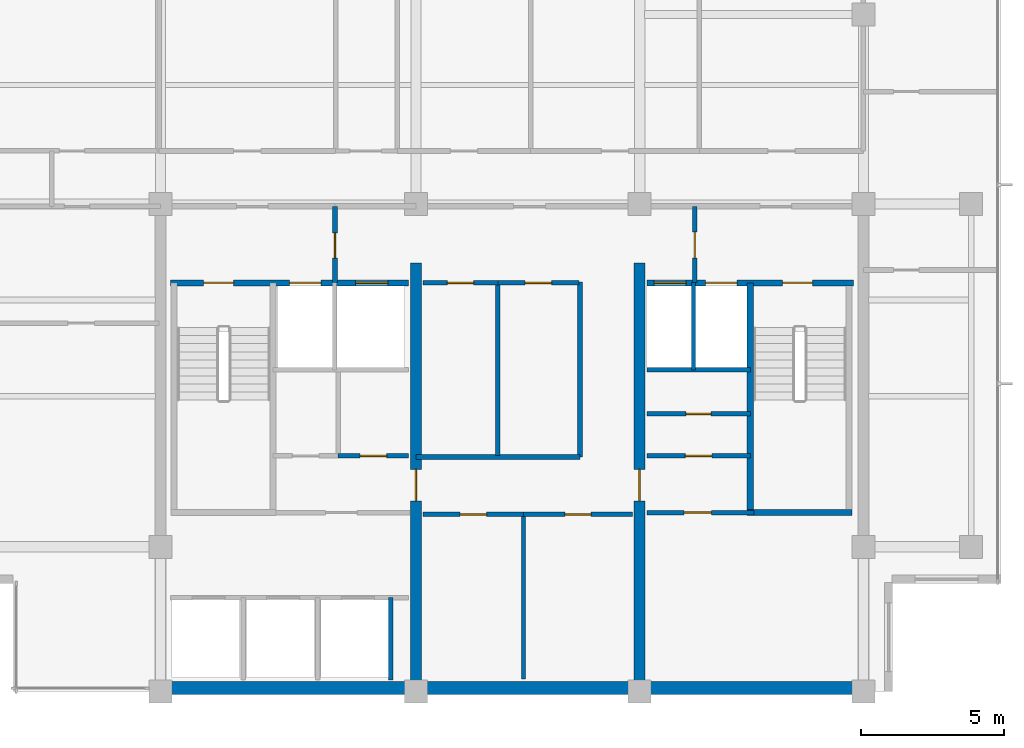
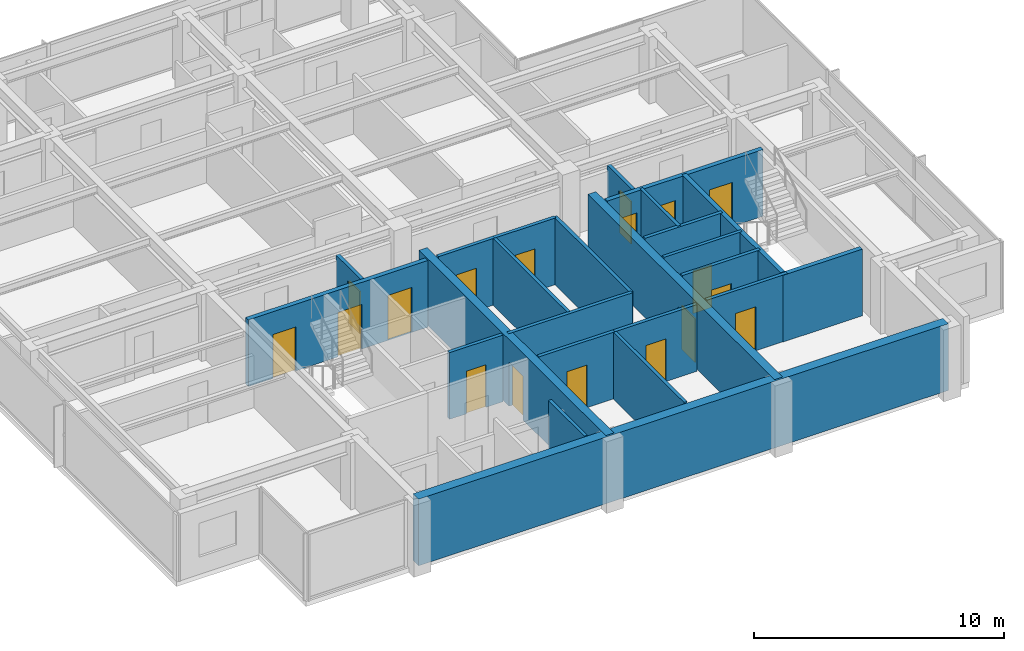
# One storey, part 6 of 11: 24 walls, 18 doors, 18 openings.
"""IFC4 building model written with IfcOpenShell, lengths in metres."""

from ifc_helpers import new_model, si_unit, direction, frame, frame_2d, origin, place, context, subcontext, project, spatial, rectangle, extrude, material, layer, layer_set, type_object, element, fill, save


model = new_model("IFC4")

# Units and contexts
model_context = context("Model", 3, precision=1e-05, world=origin(), true_north=direction((0.0, 1.0)))
body_context = subcontext(model_context, "Body", "Model", "MODEL_VIEW")
ifc_project = project(units=[si_unit("LENGTHUNIT", "METRE"), si_unit("AREAUNIT", "SQUARE_METRE"), si_unit("VOLUMEUNIT", "CUBIC_METRE"), si_unit("PLANEANGLEUNIT", "RADIAN"), si_unit("MASSUNIT", "GRAM", prefix="KILO")], contexts=[model_context])

# Site, building, storey
site_placement = place(None, origin())
site = spatial("IfcSite", under=ifc_project, at=site_placement, CompositionType="ELEMENT")
building_placement = place(site_placement, origin())
building = spatial("IfcBuilding", under=site, at=building_placement, Name="Qalmaran Belvedere Hotel", CompositionType="ELEMENT")
storey_placement = place(building_placement, frame((0.0, 0.0, 270.39990234375)))
storey = spatial("IfcBuildingStorey", under=building, at=storey_placement, Name="L70", CompositionType="ELEMENT", Elevation=270.39990234375)

# Wall, opening, door
ifc_material_1 = material(Name="Concrete C50/60", Category="concrete")
ifc_layer_1 = layer(ifc_material_1, 0.3798828125, Name="Concrete C50/60")
ifc_layer_set_1 = layer_set([ifc_layer_1], Name="Concrete C50/60")
wall_type_1 = type_object("IfcWallType", Name="WL-CORE-380-C50", PredefinedType="SHEAR", material=ifc_layer_set_1)
wall_1_placement = place(storey_placement, frame((29.199951171875, 3.5, 0.0), z_axis=(0.0, 0.0, 1.0), x_axis=(0.0, 1.0, 0.0)))
wall_1 = element("IfcWall", 1, at=wall_1_placement, inside=storey, type_object=wall_type_1, Name="L70 Core West Spine Shear Wall", PredefinedType="SHEAR", context=body_context, shape_type="SweptSolid", body=[
    extrude(rectangle(XDim=14.949951171875, YDim=0.3798828125, at=frame_2d((7.47509765625, 0.0))), origin(), (0.0, 0.0, 1.0), 3.260009765625),
])
opening_1_placement = place(wall_1_placement, frame((7.75, 0.0, 0.0), z_axis=(0.0, 0.0, 1.0), x_axis=(-1.0, 0.0, 0.0)))
opening_1 = element("IfcOpeningElement", 2, at=opening_1_placement, cuts=wall_1, Name="Opening FD90", PredefinedType="OPENING", context=body_context, shape_type="SweptSolid", body=[
    extrude(rectangle(XDim=1.10009765625, YDim=2.14990234375, at=frame_2d((0.550048828125, 1.074951171875))), frame((0.0, 0.199951171875, 0.0), z_axis=(0.0, -1.0, 0.0), x_axis=(1.0, 0.0, 0.0)), (0.0, 0.0, 1.0), 0.39990234375),
])
ifc_material_2 = material(Name="Steel S355JR", Category="steel")
door_type_1 = type_object("IfcDoorType", Name="DR-FD90-1100X2150", OperationType="NOTDEFINED", PredefinedType="DOOR", material=ifc_material_2)
door_1_placement = place(opening_1_placement, origin())
door_1 = element("IfcDoor", 3, at=door_1_placement, inside=storey, type_object=door_type_1, Name="L70 Core West Cross-Lobby Door", OperationType="SINGLE_SWING_RIGHT", OverallHeight=2.14990234375, OverallWidth=1.10009765625, PredefinedType="DOOR", context=body_context, shape_type="SweptSolid", body=[
    extrude(rectangle(XDim=1.10009765625, YDim=2.14990234375, at=frame_2d((0.550048828125, 1.074951171875))), frame((0.0, 0.02490234375, 0.0), z_axis=(0.0, -1.0, 0.0), x_axis=(1.0, 0.0, 0.0)), (0.0, 0.0, 1.0), 0.050048828125),
])
fill(opening_1, door_1)

wall_2_placement = place(storey_placement, frame((37.0, 3.5, 0.0), z_axis=(0.0, 0.0, 1.0), x_axis=(0.0, 1.0, 0.0)))
wall_2 = element("IfcWall", 4, at=wall_2_placement, inside=storey, type_object=wall_type_1, Name="L70 Core East Spine Shear Wall", PredefinedType="SHEAR", context=body_context, shape_type="SweptSolid", body=[
    extrude(rectangle(XDim=14.949951171875, YDim=0.3798828125, at=frame_2d((7.47509765625, 0.0))), origin(), (0.0, 0.0, 1.0), 3.260009765625),
])
opening_2_placement = place(wall_2_placement, frame((6.64990234375, 0.0, 0.0)))
opening_2 = element("IfcOpeningElement", 5, at=opening_2_placement, cuts=wall_2, Name="Opening FD90", PredefinedType="OPENING", context=body_context, shape_type="SweptSolid", body=[
    extrude(rectangle(XDim=1.10009765625, YDim=2.14990234375, at=frame_2d((0.550048828125, 1.074951171875))), frame((0.0, 0.199951171875, 0.0), z_axis=(0.0, -1.0, 0.0), x_axis=(1.0, 0.0, 0.0)), (0.0, 0.0, 1.0), 0.39990234375),
])
door_2_placement = place(opening_2_placement, origin())
door_2 = element("IfcDoor", 6, at=door_2_placement, inside=storey, type_object=door_type_1, Name="L70 Core East Cross-Lobby Door", OperationType="SINGLE_SWING_LEFT", OverallHeight=2.14990234375, OverallWidth=1.10009765625, PredefinedType="DOOR", context=body_context, shape_type="SweptSolid", body=[
    extrude(rectangle(XDim=1.10009765625, YDim=2.14990234375, at=frame_2d((0.550048828125, 1.074951171875))), frame((0.0, 0.02490234375, 0.0), z_axis=(0.0, -1.0, 0.0), x_axis=(1.0, 0.0, 0.0)), (0.0, 0.0, 1.0), 0.050048828125),
])
fill(opening_2, door_2)

# Walls
ifc_layer_2 = layer(ifc_material_1, 0.43994140625, Name="Concrete C50/60")
ifc_layer_set_2 = layer_set([ifc_layer_2], Name="Concrete C50/60")
wall_type_2 = type_object("IfcWallType", Name="WL-CORES-440-EXT", PredefinedType="SHEAR", material=ifc_layer_set_2)
wall_3_placement = place(storey_placement, frame((20.300048828125, 3.6298828125, 0.0), z_axis=(0.0, 0.0, 1.0), x_axis=(1.0, 0.0, 0.0)))
element("IfcWall", 7, at=wall_3_placement, inside=storey, type_object=wall_type_2, Name="L70 South Core Shear Wall", PredefinedType="SHEAR", context=body_context, shape_type="SweptSolid", body=[
    extrude(rectangle(XDim=24.5, YDim=0.43994140625, at=frame_2d((12.25, 0.0))), origin(), (0.0, 0.0, 1.0), 3.260009765625),
])
ifc_material_3 = material(Name="Gypsum Stud Partition")
ifc_layer_3 = layer(ifc_material_3, 0.14990234375, Name="Gypsum Stud Partition")
ifc_layer_set_3 = layer_set([ifc_layer_3], Name="Gypsum Stud Partition")
wall_type_3 = type_object("IfcWallType", Name="WL-INT-150-EI120", PredefinedType="PARTITIONING", material=ifc_layer_set_3)
wall_4_placement = place(storey_placement, frame((38.8798828125, 14.719970703125, 0.0), z_axis=(0.0, 0.0, 1.0), x_axis=(0.0, 1.0, 0.0)))
element("IfcWall", 8, at=wall_4_placement, inside=storey, type_object=wall_type_3, Name="L70 Partition WL-FF2M-L70", PredefinedType="PARTITIONING", context=body_context, shape_type="SweptSolid", body=[
    extrude(rectangle(XDim=3.0400390625, YDim=0.14990234375, at=frame_2d((1.52001953125, 0.0))), origin(), (0.0, 0.0, 1.0), 3.260009765625),
])
wall_5_placement = place(storey_placement, frame((28.320068359375, 3.89990234375, 0.0), z_axis=(0.0, 0.0, 1.0), x_axis=(0.0, 1.0, 0.0)))
element("IfcWall", 9, at=wall_5_placement, inside=storey, type_object=wall_type_3, Name="L70 Partition WL-POM3-L70", PredefinedType="PARTITIONING", context=body_context, shape_type="SweptSolid", body=[
    extrude(rectangle(XDim=2.880126953125, YDim=0.14990234375, at=frame_2d((1.43994140625, 0.0))), origin(), (0.0, 0.0, 1.0), 3.260009765625),
])

# Wall, opening, door
ifc_layer_4 = layer(ifc_material_3, 0.14990234375, Name="Gypsum Stud Partition")
ifc_layer_set_4 = layer_set([ifc_layer_4], Name="Gypsum Stud Partition")
wall_type_4 = type_object("IfcWallType", Name="WL-INT-150-EI60", PredefinedType="PARTITIONING", material=ifc_layer_set_4)
wall_6_placement = place(storey_placement, frame((37.25, 13.18505859375, 0.0), z_axis=(0.0, 0.0, 1.0), x_axis=(1.0, 0.0, 0.0)))
wall_6 = element("IfcWall", 10, at=wall_6_placement, inside=storey, type_object=wall_type_4, Name="L70 Partition WL-L70-KEHM", PredefinedType="PARTITIONING", context=body_context, shape_type="SweptSolid", body=[
    extrude(rectangle(XDim=3.610107421875, YDim=0.14990234375, at=frame_2d((1.80517578125, 0.0))), origin(), (0.0, 0.0, 1.0), 3.260009765625),
])
opening_3_placement = place(wall_6_placement, frame((1.364990234375, 0.0, 0.0)))
opening_3 = element("IfcOpeningElement", 11, at=opening_3_placement, cuts=wall_6, Name="Opening FD60B", PredefinedType="OPENING", context=body_context, shape_type="SweptSolid", body=[
    extrude(rectangle(XDim=0.8798828125, YDim=2.080078125, at=frame_2d((0.43994140625, 1.0400390625))), frame((0.0, 0.0849609375, 0.0), z_axis=(0.0, -1.0, 0.0), x_axis=(1.0, 0.0, 0.0)), (0.0, 0.0, 1.0), 0.169921875),
])
door_type_2 = type_object("IfcDoorType", Name="DR-FD60B-880X2080", OperationType="NOTDEFINED", PredefinedType="DOOR", material=ifc_material_2)
door_3_placement = place(opening_3_placement, origin())
door_3 = element("IfcDoor", 12, at=door_3_placement, inside=storey, type_object=door_type_2, Name="L70 Hotel Linen Closet Door", OperationType="SINGLE_SWING_RIGHT", OverallHeight=2.080078125, OverallWidth=0.8798828125, PredefinedType="DOOR", context=body_context, shape_type="SweptSolid", body=[
    extrude(rectangle(XDim=0.8798828125, YDim=2.080078125, at=frame_2d((0.43994140625, 1.0400390625))), frame((0.0, 0.02490234375, 0.0), z_axis=(0.0, -1.0, 0.0), x_axis=(1.0, 0.0, 0.0)), (0.0, 0.0, 1.0), 0.050048828125),
])
fill(opening_3, door_3)

# Walls
wall_7_placement = place(storey_placement, frame((32.9541015625, 3.949951171875, 0.0), z_axis=(0.0, 0.0, 1.0), x_axis=(0.0, 1.0, 0.0)))
element("IfcWall", 13, at=wall_7_placement, inside=storey, type_object=wall_type_4, Name="L70 Partition WL-L70-KPLV1", PredefinedType="PARTITIONING", context=body_context, shape_type="SweptSolid", body=[
    extrude(rectangle(XDim=5.72998046875, YDim=0.14990234375, at=frame_2d((2.864990234375, 0.0))), origin(), (0.0, 0.0, 1.0), 3.260009765625),
])
wall_8_placement = place(storey_placement, frame((32.056396484375, 11.739990234375, 0.0), z_axis=(0.0, 0.0, 1.0), x_axis=(0.0, 1.0, 0.0)))
element("IfcWall", 14, at=wall_8_placement, inside=storey, type_object=wall_type_4, Name="L70 Partition WL-L70-KPMV1", PredefinedType="PARTITIONING", context=body_context, shape_type="SweptSolid", body=[
    extrude(rectangle(XDim=6.010009765625, YDim=0.14990234375, at=frame_2d((3.0048828125, 0.0))), origin(), (0.0, 0.0, 1.0), 3.260009765625),
])

# Wall, opening, door
ifc_layer_5 = layer(ifc_material_3, 0.159912109375, Name="Gypsum Stud Partition")
ifc_layer_set_5 = layer_set([ifc_layer_5], Name="Gypsum Stud Partition")
wall_type_5 = type_object("IfcWallType", Name="WL-INT-160-EI120", PredefinedType="PARTITIONING", material=ifc_layer_set_5)
wall_9_placement = place(storey_placement, frame((26.3798828125, 17.760009765625, 0.0), z_axis=(0.0, 0.0, 1.0), x_axis=(0.0, 1.0, 0.0)))
wall_9 = element("IfcWall", 15, at=wall_9_placement, inside=storey, type_object=wall_type_5, Name="L70 Partition WL-FFSV1-L70", PredefinedType="PARTITIONING", context=body_context, shape_type="SweptSolid", body=[
    extrude(rectangle(XDim=2.659912109375, YDim=0.159912109375, at=frame_2d((1.330078125, 0.0))), origin(), (0.0, 0.0, 1.0), 2.781982421875),
])
opening_4_placement = place(wall_9_placement, frame((0.85009765625, 0.0, 0.0)))
opening_4 = element("IfcOpeningElement", 16, at=opening_4_placement, cuts=wall_9, Name="Opening FD60B", PredefinedType="OPENING", context=body_context, shape_type="SweptSolid", body=[
    extrude(rectangle(XDim=0.8798828125, YDim=2.080078125, at=frame_2d((0.43994140625, 1.0400390625))), frame((0.0, 0.08984375, 0.0), z_axis=(0.0, -1.0, 0.0), x_axis=(1.0, 0.0, 0.0)), (0.0, 0.0, 1.0), 0.179931640625),
])
door_4_placement = place(opening_4_placement, origin())
door_4 = element("IfcDoor", 17, at=door_4_placement, inside=storey, type_object=door_type_2, Name="L70 Service Lobby West Door", OperationType="SINGLE_SWING_RIGHT", OverallHeight=2.080078125, OverallWidth=0.8798828125, PredefinedType="DOOR", context=body_context, shape_type="SweptSolid", body=[
    extrude(rectangle(XDim=0.8798828125, YDim=2.080078125, at=frame_2d((0.43994140625, 1.0400390625))), frame((0.0, 0.02490234375, 0.0), z_axis=(0.0, -1.0, 0.0), x_axis=(1.0, 0.0, 0.0)), (0.0, 0.0, 1.0), 0.050048828125),
])
fill(opening_4, door_4)

wall_10_placement = place(storey_placement, frame((38.919921875, 17.760009765625, 0.0), z_axis=(0.0, 0.0, 1.0), x_axis=(0.0, 1.0, 0.0)))
wall_10 = element("IfcWall", 18, at=wall_10_placement, inside=storey, type_object=wall_type_5, Name="L70 Partition WL-FFSV2-L70", PredefinedType="PARTITIONING", context=body_context, shape_type="SweptSolid", body=[
    extrude(rectangle(XDim=2.659912109375, YDim=0.159912109375, at=frame_2d((1.330078125, 0.0))), origin(), (0.0, 0.0, 1.0), 2.781982421875),
])
opening_5_placement = place(wall_10_placement, frame((1.77001953125, 0.0, 0.0), z_axis=(0.0, 0.0, 1.0), x_axis=(-1.0, 0.0, 0.0)))
opening_5 = element("IfcOpeningElement", 19, at=opening_5_placement, cuts=wall_10, Name="Opening FD60S1", PredefinedType="OPENING", context=body_context, shape_type="SweptSolid", body=[
    extrude(rectangle(XDim=0.919921875, YDim=2.080078125, at=frame_2d((0.4599609375, 1.0400390625))), frame((0.0, 0.08984375, 0.0), z_axis=(0.0, -1.0, 0.0), x_axis=(1.0, 0.0, 0.0)), (0.0, 0.0, 1.0), 0.179931640625),
])
ifc_material_4 = material(Name="Engineered Oak Veneer")
door_type_3 = type_object("IfcDoorType", Name="DR-FD60S-920X2080", OperationType="NOTDEFINED", PredefinedType="DOOR", material=ifc_material_4)
door_5_placement = place(opening_5_placement, origin())
door_5 = element("IfcDoor", 20, at=door_5_placement, inside=storey, type_object=door_type_3, Name="L70 Service Lobby East Door", OperationType="SINGLE_SWING_LEFT", OverallHeight=2.080078125, OverallWidth=0.919921875, PredefinedType="DOOR", context=body_context, shape_type="SweptSolid", body=[
    extrude(rectangle(XDim=0.919921875, YDim=2.080078125, at=frame_2d((0.4599609375, 1.0400390625))), frame((0.0, 0.02490234375, 0.0), z_axis=(0.0, -1.0, 0.0), x_axis=(1.0, 0.0, 0.0)), (0.0, 0.0, 1.0), 0.050048828125),
])
fill(opening_5, door_5)

# Wall
wall_11_placement = place(storey_placement, frame((37.25, 14.719970703125, 0.0), z_axis=(0.0, 0.0, 1.0), x_axis=(1.0, 0.0, 0.0)))
element("IfcWall", 21, at=wall_11_placement, inside=storey, type_object=wall_type_5, Name="L70 Partition WL-FF2S-L70", PredefinedType="PARTITIONING", context=body_context, shape_type="SweptSolid", body=[
    extrude(rectangle(XDim=3.610107421875, YDim=0.159912109375, at=frame_2d((1.80517578125, 0.0))), origin(), (0.0, 0.0, 1.0), 3.260009765625),
])

# Wall, opening, door
ifc_layer_6 = layer(ifc_material_3, 0.159912109375, Name="Gypsum Stud Partition")
ifc_layer_set_6 = layer_set([ifc_layer_6], Name="Gypsum Stud Partition")
wall_type_6 = type_object("IfcWallType", Name="WL-INT-160-EI60", PredefinedType="PARTITIONING", material=ifc_layer_set_6)
wall_12_placement = place(storey_placement, frame((26.490478515625, 11.719970703125, 0.0), z_axis=(0.0, 0.0, 1.0), x_axis=(1.0, 0.0, 0.0)))
wall_12 = element("IfcWall", 22, at=wall_12_placement, inside=storey, type_object=wall_type_6, Name="L70 Partition WL-L70-KWE2", PredefinedType="PARTITIONING", context=body_context, shape_type="SweptSolid", body=[
    extrude(rectangle(XDim=2.45947265625, YDim=0.159912109375, at=frame_2d((1.229736328125, 0.0))), origin(), (0.0, 0.0, 1.0), 3.260009765625),
])
opening_6_placement = place(wall_12_placement, frame((0.769775390625, 0.0, 0.0)))
opening_6 = element("IfcOpeningElement", 23, at=opening_6_placement, cuts=wall_12, Name="Opening FD60S1", PredefinedType="OPENING", context=body_context, shape_type="SweptSolid", body=[
    extrude(rectangle(XDim=0.919921875, YDim=2.080078125, at=frame_2d((0.4599609375, 1.0400390625))), frame((0.0, 0.08984375, 0.0), z_axis=(0.0, -1.0, 0.0), x_axis=(1.0, 0.0, 0.0)), (0.0, 0.0, 1.0), 0.179931640625),
])
door_6_placement = place(opening_6_placement, origin())
door_6 = element("IfcDoor", 24, at=door_6_placement, inside=storey, type_object=door_type_3, Name="L70 Cleaner Supply Store Door", OperationType="SINGLE_SWING_RIGHT", OverallHeight=2.080078125, OverallWidth=0.919921875, PredefinedType="DOOR", context=body_context, shape_type="SweptSolid", body=[
    extrude(rectangle(XDim=0.919921875, YDim=2.080078125, at=frame_2d((0.4599609375, 1.0400390625))), frame((0.0, 0.02490234375, 0.0), z_axis=(0.0, -1.0, 0.0), x_axis=(1.0, 0.0, 0.0)), (0.0, 0.0, 1.0), 0.050048828125),
])
fill(opening_6, door_6)

wall_13_placement = place(storey_placement, frame((37.25, 11.719970703125, 0.0), z_axis=(0.0, 0.0, 1.0), x_axis=(1.0, 0.0, 0.0)))
wall_13 = element("IfcWall", 25, at=wall_13_placement, inside=storey, type_object=wall_type_6, Name="L70 Partition WL-L70-KEE1", PredefinedType="PARTITIONING", context=body_context, shape_type="SweptSolid", body=[
    extrude(rectangle(XDim=3.610107421875, YDim=0.159912109375, at=frame_2d((1.80517578125, 0.0))), origin(), (0.0, 0.0, 1.0), 3.260009765625),
])
opening_7_placement = place(wall_13_placement, frame((1.344970703125, 0.0, 0.0)))
opening_7 = element("IfcOpeningElement", 26, at=opening_7_placement, cuts=wall_13, Name="Opening FD60S1", PredefinedType="OPENING", context=body_context, shape_type="SweptSolid", body=[
    extrude(rectangle(XDim=0.919921875, YDim=2.080078125, at=frame_2d((0.4599609375, 1.0400390625))), frame((0.0, 0.08984375, 0.0), z_axis=(0.0, -1.0, 0.0), x_axis=(1.0, 0.0, 0.0)), (0.0, 0.0, 1.0), 0.179931640625),
])
door_7_placement = place(opening_7_placement, origin())
door_7 = element("IfcDoor", 27, at=door_7_placement, inside=storey, type_object=door_type_3, Name="L70 Low Voltage Switch Room Door", OperationType="SINGLE_SWING_LEFT", OverallHeight=2.080078125, OverallWidth=0.919921875, PredefinedType="DOOR", context=body_context, shape_type="SweptSolid", body=[
    extrude(rectangle(XDim=0.919921875, YDim=2.080078125, at=frame_2d((0.4599609375, 1.0400390625))), frame((0.0, 0.02490234375, 0.0), z_axis=(0.0, -1.0, 0.0), x_axis=(1.0, 0.0, 0.0)), (0.0, 0.0, 1.0), 0.050048828125),
])
fill(opening_7, door_7)

wall_14_placement = place(storey_placement, frame((37.25, 9.739990234375, 0.0), z_axis=(0.0, 0.0, 1.0), x_axis=(1.0, 0.0, 0.0)))
wall_14 = element("IfcWall", 28, at=wall_14_placement, inside=storey, type_object=wall_type_6, Name="L70 Partition WL-PHFR-L70", PredefinedType="PARTITIONING", context=body_context, shape_type="SweptSolid", body=[
    extrude(rectangle(XDim=3.72998046875, YDim=0.159912109375, at=frame_2d((1.864990234375, 0.0))), origin(), (0.0, 0.0, 1.0), 3.260009765625),
])
opening_8_placement = place(wall_14_placement, frame((2.25, 0.0, 0.0), z_axis=(0.0, 0.0, 1.0), x_axis=(-1.0, 0.0, 0.0)))
opening_8 = element("IfcOpeningElement", 29, at=opening_8_placement, cuts=wall_14, Name="Opening FD60", PredefinedType="OPENING", context=body_context, shape_type="SweptSolid", body=[
    extrude(rectangle(XDim=0.949951171875, YDim=2.14990234375, at=frame_2d((0.47509765625, 1.074951171875))), frame((0.0, 0.08984375, 0.0), z_axis=(0.0, -1.0, 0.0), x_axis=(1.0, 0.0, 0.0)), (0.0, 0.0, 1.0), 0.179931640625),
])
door_type_4 = type_object("IfcDoorType", Name="DR-FD60-950X2150", OperationType="NOTDEFINED", PredefinedType="DOOR", material=ifc_material_4)
door_8_placement = place(opening_8_placement, origin())
door_8 = element("IfcDoor", 30, at=door_8_placement, inside=storey, type_object=door_type_4, Name="L70 Freed PH Room Door", OperationType="SINGLE_SWING_RIGHT", OverallHeight=2.14990234375, OverallWidth=0.949951171875, PredefinedType="DOOR", context=body_context, shape_type="SweptSolid", body=[
    extrude(rectangle(XDim=0.949951171875, YDim=2.14990234375, at=frame_2d((0.47509765625, 1.074951171875))), frame((0.0, 0.02490234375, 0.0), z_axis=(0.0, -1.0, 0.0), x_axis=(1.0, 0.0, 0.0)), (0.0, 0.0, 1.0), 0.050048828125),
])
fill(opening_8, door_8)

# Wall
wall_15_placement = place(storey_placement, frame((34.919921875, 11.679931640625, 0.0), z_axis=(0.0, 0.0, 1.0), x_axis=(0.0, 1.0, 0.0)))
element("IfcWall", 31, at=wall_15_placement, inside=storey, type_object=wall_type_6, Name="L70 Partition WL-CLLV-L70", PredefinedType="PARTITIONING", context=body_context, shape_type="SweptSolid", body=[
    extrude(rectangle(XDim=6.10009765625, YDim=0.159912109375, at=frame_2d((3.050048828125, 0.0))), origin(), (0.0, 0.0, 1.0), 3.260009765625),
])

# Wall, opening, door
wall_16_placement = place(storey_placement, frame((29.449951171875, 9.679931640625, 0.0), z_axis=(0.0, 0.0, 1.0), x_axis=(1.0, 0.0, 0.0)))
wall_16 = element("IfcWall", 32, at=wall_16_placement, inside=storey, type_object=wall_type_6, Name="L70 Partition WL-L70-KPLE1", PredefinedType="PARTITIONING", context=body_context, shape_type="SweptSolid", body=[
    extrude(rectangle(XDim=3.504150390625, YDim=0.159912109375, at=frame_2d((1.751953125, 0.0))), origin(), (0.0, 0.0, 1.0), 3.260009765625),
])
opening_9_placement = place(wall_16_placement, frame((2.2119140625, 0.0, 0.0), z_axis=(0.0, 0.0, 1.0), x_axis=(-1.0, 0.0, 0.0)))
opening_9 = element("IfcOpeningElement", 33, at=opening_9_placement, cuts=wall_16, Name="Opening FD60S1", PredefinedType="OPENING", context=body_context, shape_type="SweptSolid", body=[
    extrude(rectangle(XDim=0.919921875, YDim=2.080078125, at=frame_2d((0.4599609375, 1.0400390625))), frame((0.0, 0.08984375, 0.0), z_axis=(0.0, -1.0, 0.0), x_axis=(1.0, 0.0, 0.0)), (0.0, 0.0, 1.0), 0.179931640625),
])
door_9_placement = place(opening_9_placement, origin())
door_9 = element("IfcDoor", 34, at=door_9_placement, inside=storey, type_object=door_type_3, Name="L70 Hotel Butler Service Pantry Door", OperationType="SINGLE_SWING_LEFT", OverallHeight=2.080078125, OverallWidth=0.919921875, PredefinedType="DOOR", context=body_context, shape_type="SweptSolid", body=[
    extrude(rectangle(XDim=0.919921875, YDim=2.080078125, at=frame_2d((0.4599609375, 1.0400390625))), frame((0.0, 0.02490234375, 0.0), z_axis=(0.0, -1.0, 0.0), x_axis=(1.0, 0.0, 0.0)), (0.0, 0.0, 1.0), 0.050048828125),
])
fill(opening_9, door_9)

wall_17_placement = place(storey_placement, frame((32.9541015625, 9.679931640625, 0.0), z_axis=(0.0, 0.0, 1.0), x_axis=(1.0, 0.0, 0.0)))
wall_17 = element("IfcWall", 35, at=wall_17_placement, inside=storey, type_object=wall_type_6, Name="L70 Partition WL-L70-KPLE2", PredefinedType="PARTITIONING", context=body_context, shape_type="SweptSolid", body=[
    extrude(rectangle(XDim=3.7958984375, YDim=0.159912109375, at=frame_2d((1.89794921875, 0.0))), origin(), (0.0, 0.0, 1.0), 3.260009765625),
])
opening_10_placement = place(wall_17_placement, frame((2.35791015625, 0.0, 0.0), z_axis=(0.0, 0.0, 1.0), x_axis=(-1.0, 0.0, 0.0)))
opening_10 = element("IfcOpeningElement", 36, at=opening_10_placement, cuts=wall_17, Name="Opening FD60S1", PredefinedType="OPENING", context=body_context, shape_type="SweptSolid", body=[
    extrude(rectangle(XDim=0.919921875, YDim=2.080078125, at=frame_2d((0.4599609375, 1.0400390625))), frame((0.0, 0.08984375, 0.0), z_axis=(0.0, -1.0, 0.0), x_axis=(1.0, 0.0, 0.0)), (0.0, 0.0, 1.0), 0.179931640625),
])
door_10_placement = place(opening_10_placement, origin())
door_10 = element("IfcDoor", 37, at=door_10_placement, inside=storey, type_object=door_type_3, Name="L70 Guest Valet Supply Store Door", OperationType="SINGLE_SWING_RIGHT", OverallHeight=2.080078125, OverallWidth=0.919921875, PredefinedType="DOOR", context=body_context, shape_type="SweptSolid", body=[
    extrude(rectangle(XDim=0.919921875, YDim=2.080078125, at=frame_2d((0.4599609375, 1.0400390625))), frame((0.0, 0.02490234375, 0.0), z_axis=(0.0, -1.0, 0.0), x_axis=(1.0, 0.0, 0.0)), (0.0, 0.0, 1.0), 0.050048828125),
])
fill(opening_10, door_10)

# Wall
wall_18_placement = place(storey_placement, frame((29.199951171875, 11.679931640625, 0.0), z_axis=(0.0, 0.0, 1.0), x_axis=(1.0, 0.0, 0.0)))
element("IfcWall", 38, at=wall_18_placement, inside=storey, type_object=wall_type_6, Name="L70 Partition WL-PMFS-L70", PredefinedType="PARTITIONING", context=body_context, shape_type="SweptSolid", body=[
    extrude(rectangle(XDim=5.719970703125, YDim=0.159912109375, at=frame_2d((2.85986328125, 0.0))), origin(), (0.0, 0.0, 1.0), 3.260009765625),
])

# Wall, opening, door
wall_19_placement = place(storey_placement, frame((29.449951171875, 17.75, 0.0), z_axis=(0.0, 0.0, 1.0), x_axis=(1.0, 0.0, 0.0)))
wall_19 = element("IfcWall", 39, at=wall_19_placement, inside=storey, type_object=wall_type_6, Name="L70 Partition WL-L70-KPME1", PredefinedType="PARTITIONING", context=body_context, shape_type="SweptSolid", body=[
    extrude(rectangle(XDim=2.6064453125, YDim=0.159912109375, at=frame_2d((1.30322265625, 0.0))), origin(), (0.0, 0.0, 1.0), 3.260009765625),
])
opening_11_placement = place(wall_19_placement, frame((1.76318359375, 0.0, 0.0), z_axis=(0.0, 0.0, 1.0), x_axis=(-1.0, 0.0, 0.0)))
opening_11 = element("IfcOpeningElement", 40, at=opening_11_placement, cuts=wall_19, Name="Opening FD60S1", PredefinedType="OPENING", context=body_context, shape_type="SweptSolid", body=[
    extrude(rectangle(XDim=0.919921875, YDim=2.080078125, at=frame_2d((0.4599609375, 1.0400390625))), frame((0.0, 0.08984375, 0.0), z_axis=(0.0, -1.0, 0.0), x_axis=(1.0, 0.0, 0.0)), (0.0, 0.0, 1.0), 0.179931640625),
])
door_11_placement = place(opening_11_placement, origin())
door_11 = element("IfcDoor", 41, at=door_11_placement, inside=storey, type_object=door_type_3, Name="L70 Floor Linen Supply Store Door", OperationType="SINGLE_SWING_LEFT", OverallHeight=2.080078125, OverallWidth=0.919921875, PredefinedType="DOOR", context=body_context, shape_type="SweptSolid", body=[
    extrude(rectangle(XDim=0.919921875, YDim=2.080078125, at=frame_2d((0.4599609375, 1.0400390625))), frame((0.0, 0.02490234375, 0.0), z_axis=(0.0, -1.0, 0.0), x_axis=(1.0, 0.0, 0.0)), (0.0, 0.0, 1.0), 0.050048828125),
])
fill(opening_11, door_11)

wall_20_placement = place(storey_placement, frame((32.056396484375, 17.75, 0.0), z_axis=(0.0, 0.0, 1.0), x_axis=(1.0, 0.0, 0.0)))
wall_20 = element("IfcWall", 42, at=wall_20_placement, inside=storey, type_object=wall_type_6, Name="L70 Partition WL-L70-KPME2", PredefinedType="PARTITIONING", context=body_context, shape_type="SweptSolid", body=[
    extrude(rectangle(XDim=2.823486328125, YDim=0.159912109375, at=frame_2d((1.41162109375, 0.0))), origin(), (0.0, 0.0, 1.0), 3.260009765625),
])
opening_12_placement = place(wall_20_placement, frame((1.871826171875, 0.0, 0.0), z_axis=(0.0, 0.0, 1.0), x_axis=(-1.0, 0.0, 0.0)))
opening_12 = element("IfcOpeningElement", 43, at=opening_12_placement, cuts=wall_20, Name="Opening FD60S1", PredefinedType="OPENING", context=body_context, shape_type="SweptSolid", body=[
    extrude(rectangle(XDim=0.919921875, YDim=2.080078125, at=frame_2d((0.4599609375, 1.0400390625))), frame((0.0, 0.08984375, 0.0), z_axis=(0.0, -1.0, 0.0), x_axis=(1.0, 0.0, 0.0)), (0.0, 0.0, 1.0), 0.179931640625),
])
door_12_placement = place(opening_12_placement, origin())
door_12 = element("IfcDoor", 44, at=door_12_placement, inside=storey, type_object=door_type_3, Name="L70 Core Tableware Store Door", OperationType="SINGLE_SWING_RIGHT", OverallHeight=2.080078125, OverallWidth=0.919921875, PredefinedType="DOOR", context=body_context, shape_type="SweptSolid", body=[
    extrude(rectangle(XDim=0.919921875, YDim=2.080078125, at=frame_2d((0.4599609375, 1.0400390625))), frame((0.0, 0.02490234375, 0.0), z_axis=(0.0, -1.0, 0.0), x_axis=(1.0, 0.0, 0.0)), (0.0, 0.0, 1.0), 0.050048828125),
])
fill(opening_12, door_12)

# Wall, openings, doors
ifc_layer_7 = layer(ifc_material_1, 0.2099609375, Name="Concrete C50/60")
ifc_layer_set_7 = layer_set([ifc_layer_7], Name="Concrete C50/60")
wall_type_7 = type_object("IfcWallType", Name="WL-STAIR-210-C50", PredefinedType="SHEAR", material=ifc_layer_set_7)
wall_21_placement = place(storey_placement, frame((20.64990234375, 17.7548828125, 0.0), z_axis=(0.0, 0.0, 1.0), x_axis=(1.0, 0.0, 0.0)))
wall_21 = element("IfcWall", 45, at=wall_21_placement, inside=storey, type_object=wall_type_7, Name="L70 West Lobby and Stair ST-1 North Bearing Wall", PredefinedType="SHEAR", context=body_context, shape_type="SweptSolid", body=[
    extrude(rectangle(XDim=8.300048828125, YDim=0.2099609375, at=frame_2d((4.14990234375, 0.0))), origin(), (0.0, 0.0, 1.0), 3.260009765625),
])
opening_13_placement = place(wall_21_placement, frame((2.199951171875, 0.0, 0.0), z_axis=(0.0, 0.0, 1.0), x_axis=(-1.0, 0.0, 0.0)))
opening_13 = element("IfcOpeningElement", 46, at=opening_13_placement, cuts=wall_21, Name="Opening FD90S2", PredefinedType="OPENING", context=body_context, shape_type="SweptSolid", body=[
    extrude(rectangle(XDim=1.050048828125, YDim=2.14990234375, at=frame_2d((0.52490234375, 1.074951171875))), frame((0.0, 0.114990234375, 0.0), z_axis=(0.0, -1.0, 0.0), x_axis=(1.0, 0.0, 0.0)), (0.0, 0.0, 1.0), 0.22998046875),
])
opening_14_placement = place(wall_21_placement, frame((4.14990234375, 0.0, 0.0)))
opening_14 = element("IfcOpeningElement", 47, at=opening_14_placement, cuts=wall_21, Name="Opening LD-FF", PredefinedType="OPENING", context=body_context, shape_type="SweptSolid", body=[
    extrude(rectangle(XDim=1.10009765625, YDim=2.179931640625, at=frame_2d((0.550048828125, 1.08984375))), frame((0.0, 0.114990234375, 0.0), z_axis=(0.0, -1.0, 0.0), x_axis=(1.0, 0.0, 0.0)), (0.0, 0.0, 1.0), 0.22998046875),
])
opening_15_placement = place(wall_21_placement, frame((6.449951171875, 0.0, 0.0)))
opening_15 = element("IfcOpeningElement", 48, at=opening_15_placement, cuts=wall_21, Name="Opening LD-SV", PredefinedType="OPENING", context=body_context, shape_type="SweptSolid", body=[
    extrude(rectangle(XDim=1.1201171875, YDim=2.199951171875, at=frame_2d((0.56005859375, 1.10009765625))), frame((0.0, 0.114990234375, 0.0), z_axis=(0.0, -1.0, 0.0), x_axis=(1.0, 0.0, 0.0)), (0.0, 0.0, 1.0), 0.22998046875),
])
door_type_5 = type_object("IfcDoorType", Name="DR-FD90S-1050X2150", OperationType="NOTDEFINED", PredefinedType="DOOR", material=ifc_material_2)
door_13_placement = place(opening_13_placement, origin())
door_13 = element("IfcDoor", 49, at=door_13_placement, inside=storey, type_object=door_type_5, Name="L70 Stair ST-1 Door", OperationType="SINGLE_SWING_RIGHT", OverallHeight=2.14990234375, OverallWidth=1.050048828125, PredefinedType="DOOR", context=body_context, shape_type="SweptSolid", body=[
    extrude(rectangle(XDim=1.050048828125, YDim=2.14990234375, at=frame_2d((0.52490234375, 1.074951171875))), frame((0.0, 0.02490234375, 0.0), z_axis=(0.0, -1.0, 0.0), x_axis=(1.0, 0.0, 0.0)), (0.0, 0.0, 1.0), 0.050048828125),
])
fill(opening_13, door_13)
ifc_material_5 = material(Name="Stainless Steel 1.4401", Category="steel")
door_type_6 = type_object("IfcDoorType", Name="DR-LIFT-FF-1100X2180", OperationType="DOUBLE_DOOR_SLIDING", PredefinedType="DOOR", material=ifc_material_5)
door_14_placement = place(opening_14_placement, origin())
door_14 = element("IfcDoor", 50, at=door_14_placement, inside=storey, type_object=door_type_6, Name="L70 FF1 Lift Landing Door", OperationType="DOUBLE_DOOR_SLIDING", OverallHeight=2.179931640625, OverallWidth=1.10009765625, PredefinedType="DOOR", context=body_context, shape_type="SweptSolid", body=[
    extrude(rectangle(XDim=1.10009765625, YDim=2.179931640625, at=frame_2d((0.550048828125, 1.08984375))), frame((0.0, 0.02490234375, 0.0), z_axis=(0.0, -1.0, 0.0), x_axis=(1.0, 0.0, 0.0)), (0.0, 0.0, 1.0), 0.050048828125),
])
fill(opening_14, door_14)
door_type_7 = type_object("IfcDoorType", Name="DR-LIFT-SV-1120X2200", OperationType="DOUBLE_DOOR_SLIDING", PredefinedType="DOOR", material=ifc_material_5)
door_15_placement = place(opening_15_placement, origin())
door_15 = element("IfcDoor", 51, at=door_15_placement, inside=storey, type_object=door_type_7, Name="L70 SV1 Lift Landing Door", OperationType="DOUBLE_DOOR_SLIDING", OverallHeight=2.199951171875, OverallWidth=1.1201171875, PredefinedType="DOOR", context=body_context, shape_type="SweptSolid", body=[
    extrude(rectangle(XDim=1.1201171875, YDim=2.199951171875, at=frame_2d((0.56005859375, 1.10009765625))), frame((0.0, 0.02490234375, 0.0), z_axis=(0.0, -1.0, 0.0), x_axis=(1.0, 0.0, 0.0)), (0.0, 0.0, 1.0), 0.050048828125),
])
fill(opening_15, door_15)

# Walls
wall_22_placement = place(storey_placement, frame((40.85498046875, 9.7451171875, 0.0), z_axis=(0.0, 0.0, 1.0), x_axis=(0.0, 1.0, 0.0)))
element("IfcWall", 52, at=wall_22_placement, inside=storey, type_object=wall_type_7, Name="L70 Stair ST-2 West Bearing Wall", PredefinedType="SHEAR", context=body_context, shape_type="SweptSolid", body=[
    extrude(rectangle(XDim=8.009765625, YDim=0.2099609375, at=frame_2d((4.0048828125, 0.0))), origin(), (0.0, 0.0, 1.0), 3.260009765625),
])
wall_23_placement = place(storey_placement, frame((40.75, 9.7451171875, 0.0), z_axis=(0.0, 0.0, 1.0), x_axis=(1.0, 0.0, 0.0)))
element("IfcWall", 53, at=wall_23_placement, inside=storey, type_object=wall_type_7, Name="L70 Stair ST-2 South Bearing Wall", PredefinedType="SHEAR", context=body_context, shape_type="SweptSolid", body=[
    extrude(rectangle(XDim=3.659912109375, YDim=0.2099609375, at=frame_2d((1.830078125, 0.0))), origin(), (0.0, 0.0, 1.0), 3.260009765625),
])

# Wall, openings, doors
wall_24_placement = place(storey_placement, frame((37.25, 17.7548828125, 0.0), z_axis=(0.0, 0.0, 1.0), x_axis=(1.0, 0.0, 0.0)))
wall_24 = element("IfcWall", 54, at=wall_24_placement, inside=storey, type_object=wall_type_7, Name="L70 East Lobby and Stair ST-2 North Bearing Wall", PredefinedType="SHEAR", context=body_context, shape_type="SweptSolid", body=[
    extrude(rectangle(XDim=7.199951171875, YDim=0.2099609375, at=frame_2d((3.60009765625, 0.0))), origin(), (0.0, 0.0, 1.0), 3.260009765625),
])
opening_16_placement = place(wall_24_placement, frame((0.25, 0.0, 0.0)))
opening_16 = element("IfcOpeningElement", 55, at=opening_16_placement, cuts=wall_24, Name="Opening LD-SV", PredefinedType="OPENING", context=body_context, shape_type="SweptSolid", body=[
    extrude(rectangle(XDim=1.1201171875, YDim=2.199951171875, at=frame_2d((0.56005859375, 1.10009765625))), frame((0.0, 0.114990234375, 0.0), z_axis=(0.0, -1.0, 0.0), x_axis=(1.0, 0.0, 0.0)), (0.0, 0.0, 1.0), 0.22998046875),
])
opening_17_placement = place(wall_24_placement, frame((2.050048828125, 0.0, 0.0)))
opening_17 = element("IfcOpeningElement", 56, at=opening_17_placement, cuts=wall_24, Name="Opening LD-FF", PredefinedType="OPENING", context=body_context, shape_type="SweptSolid", body=[
    extrude(rectangle(XDim=1.10009765625, YDim=2.179931640625, at=frame_2d((0.550048828125, 1.08984375))), frame((0.0, 0.114990234375, 0.0), z_axis=(0.0, -1.0, 0.0), x_axis=(1.0, 0.0, 0.0)), (0.0, 0.0, 1.0), 0.22998046875),
])
opening_18_placement = place(wall_24_placement, frame((5.780029296875, 0.0, 0.0), z_axis=(0.0, 0.0, 1.0), x_axis=(-1.0, 0.0, 0.0)))
opening_18 = element("IfcOpeningElement", 57, at=opening_18_placement, cuts=wall_24, Name="Opening FD90S2", PredefinedType="OPENING", context=body_context, shape_type="SweptSolid", body=[
    extrude(rectangle(XDim=1.050048828125, YDim=2.14990234375, at=frame_2d((0.52490234375, 1.074951171875))), frame((0.0, 0.114990234375, 0.0), z_axis=(0.0, -1.0, 0.0), x_axis=(1.0, 0.0, 0.0)), (0.0, 0.0, 1.0), 0.22998046875),
])
door_16_placement = place(opening_18_placement, origin())
door_16 = element("IfcDoor", 58, at=door_16_placement, inside=storey, type_object=door_type_5, Name="L70 Stair ST-2 Door", OperationType="SINGLE_SWING_LEFT", OverallHeight=2.14990234375, OverallWidth=1.050048828125, PredefinedType="DOOR", context=body_context, shape_type="SweptSolid", body=[
    extrude(rectangle(XDim=1.050048828125, YDim=2.14990234375, at=frame_2d((0.52490234375, 1.074951171875))), frame((0.0, 0.02490234375, 0.0), z_axis=(0.0, -1.0, 0.0), x_axis=(1.0, 0.0, 0.0)), (0.0, 0.0, 1.0), 0.050048828125),
])
fill(opening_18, door_16)
door_17_placement = place(opening_17_placement, origin())
door_17 = element("IfcDoor", 59, at=door_17_placement, inside=storey, type_object=door_type_6, Name="L70 FF2 Lift Landing Door", OperationType="DOUBLE_DOOR_SLIDING", OverallHeight=2.179931640625, OverallWidth=1.10009765625, PredefinedType="DOOR", context=body_context, shape_type="SweptSolid", body=[
    extrude(rectangle(XDim=1.10009765625, YDim=2.179931640625, at=frame_2d((0.550048828125, 1.08984375))), frame((0.0, 0.02490234375, 0.0), z_axis=(0.0, -1.0, 0.0), x_axis=(1.0, 0.0, 0.0)), (0.0, 0.0, 1.0), 0.050048828125),
])
fill(opening_17, door_17)
door_18_placement = place(opening_16_placement, origin())
door_18 = element("IfcDoor", 60, at=door_18_placement, inside=storey, type_object=door_type_7, Name="L70 SV2 Lift Landing Door", OperationType="DOUBLE_DOOR_SLIDING", OverallHeight=2.199951171875, OverallWidth=1.1201171875, PredefinedType="DOOR", context=body_context, shape_type="SweptSolid", body=[
    extrude(rectangle(XDim=1.1201171875, YDim=2.199951171875, at=frame_2d((0.56005859375, 1.10009765625))), frame((0.0, 0.02490234375, 0.0), z_axis=(0.0, -1.0, 0.0), x_axis=(1.0, 0.0, 0.0)), (0.0, 0.0, 1.0), 0.050048828125),
])
fill(opening_16, door_18)

save(model, "model.ifc")
